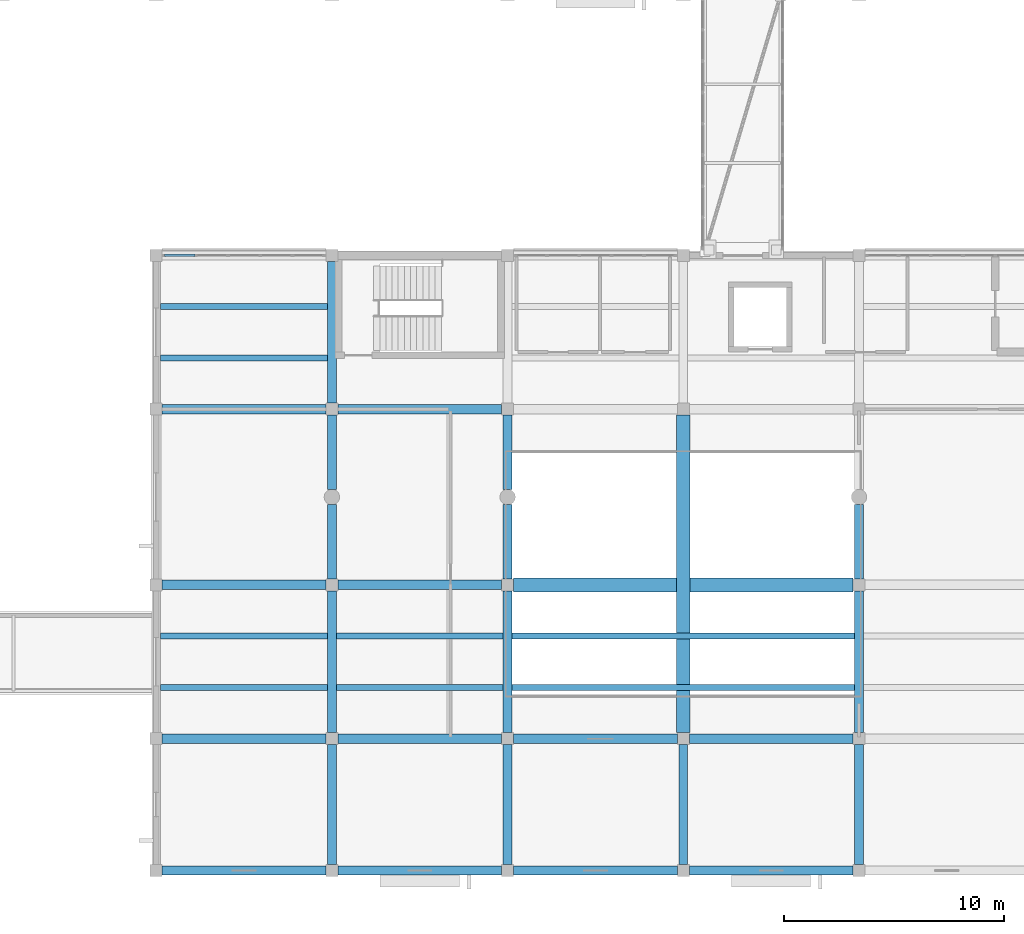
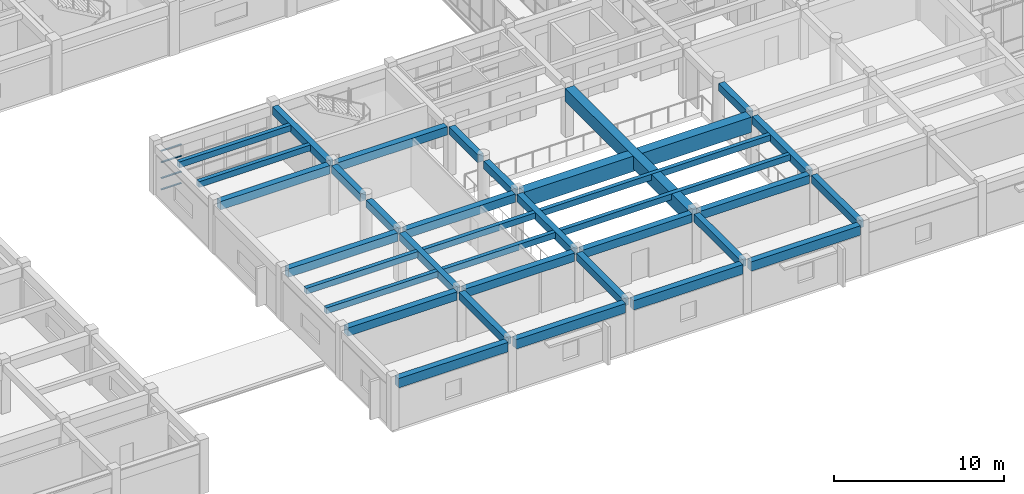
# One storey, part 16 of 66: 35 beams, 4 members, 1 element without a shape of its own.
"""IFC4 building model written with IfcOpenShell, lengths in metres."""

from ifc_helpers import new_model, si_unit, direction, frame, origin, origin_2d, place, context, subcontext, project, spatial, rectangle, extrude, material, layer, layer_set, material_profile, profile_set, type_object, element, aggregate, save


model = new_model("IFC4")

# Units and contexts
model_context = context("Model", 3, precision=1e-05, world=origin(), true_north=direction((0.0, 1.0)))
body_context = subcontext(model_context, "Body", "Model", "MODEL_VIEW")
ifc_project = project(units=[si_unit("LENGTHUNIT", "METRE"), si_unit("AREAUNIT", "SQUARE_METRE"), si_unit("VOLUMEUNIT", "CUBIC_METRE"), si_unit("PLANEANGLEUNIT", "RADIAN"), si_unit("MASSUNIT", "GRAM", prefix="KILO")], contexts=[model_context])

# Site, building, storey
site_placement = place(None, origin())
site = spatial("IfcSite", under=ifc_project, at=site_placement, CompositionType="ELEMENT")
building_placement = place(site_placement, origin())
building = spatial("IfcBuilding", under=site, at=building_placement, Name="Naurynzar Civic Courthouse", CompositionType="ELEMENT")
storey_placement = place(building_placement, frame((0.0, 0.0, 14.39990234375)))
storey = spatial("IfcBuildingStorey", under=building, at=storey_placement, Name="L04", CompositionType="ELEMENT", Elevation=14.39990234375)

# Beams
ifc_material_1 = material(Name="Concrete C40/50", Category="concrete")
ifc_material_profile_1 = material_profile(ifc_material_1, rectangle(XDim=0.27490234375, YDim=0.425048828125, at=origin_2d()), Name="RCB 275x425")
ifc_profile_set_1 = profile_set([ifc_material_profile_1], Name="Concrete C40/50")
beam_type_1 = type_object("IfcBeamType", Name="BM-JST-275x425", PredefinedType="JOIST", material=ifc_profile_set_1)
for number, where, z_axis, x_axis, name in (
    (1, (69.199951171875, 12.333251953125, 3.34765625), (1.0, 0.0, 0.0), (0.0, 1.0, 0.0), "V3 secondary rib 1550 L04"),
    (2, (69.199951171875, 14.666748046875, 3.34765625), (1.0, 0.0, 0.0), (0.0, 1.0, 0.0), "V3 secondary rib 1551 L04"),
    (3, (77.199951171875, 12.333251953125, 3.34765625), (1.0, 0.0, 0.0), (0.0, 1.0, 0.0), "V3 secondary rib 1552 L04"),
    (4, (77.199951171875, 14.666748046875, 3.34765625), (1.0, 0.0, 0.0), (0.0, 1.0, 0.0), "V3 secondary rib 1553 L04"),
):
    element("IfcBeam", number, at=place(storey_placement, frame(where, z_axis=z_axis, x_axis=x_axis)), inside=storey, type_object=beam_type_1, Name=name, PredefinedType="JOIST", context=body_context, shape_type="SweptSolid", body=[
        extrude(rectangle(XDim=0.27490234375, YDim=0.425048828125, at=origin_2d()), origin(), (0.0, 0.0, 1.0), 7.60009765625),
    ])
for number, where, z_axis, x_axis, name in (
    (5, (85.199951171875, 12.333251953125, 3.34765625), (1.0, 0.0, 0.0), (0.0, 1.0, 0.0), "V3 secondary rib 1554 L04"),
    (6, (85.199951171875, 14.666748046875, 3.34765625), (1.0, 0.0, 0.0), (0.0, 1.0, 0.0), "V3 secondary rib 1555 L04"),
):
    element("IfcBeam", number, at=place(storey_placement, frame(where, z_axis=z_axis, x_axis=x_axis)), inside=storey, type_object=beam_type_1, Name=name, PredefinedType="JOIST", context=body_context, shape_type="SweptSolid", body=[
        extrude(rectangle(XDim=0.27490234375, YDim=0.425048828125, at=origin_2d()), origin(), (0.0, 0.0, 1.0), 15.60009765625),
    ])
for number, where, z_axis, x_axis, name in (
    (7, (69.199951171875, 27.333251953125, 3.34765625), (1.0, 0.0, 0.0), (0.0, 1.0, 0.0), "V3 secondary rib 1560 L04"),
    (8, (69.199951171875, 29.666748046875, 3.34765625), (1.0, 0.0, 0.0), (0.0, 1.0, 0.0), "V3 secondary rib 1561 L04"),
):
    element("IfcBeam", number, at=place(storey_placement, frame(where, z_axis=z_axis, x_axis=x_axis)), inside=storey, type_object=beam_type_1, Name=name, PredefinedType="JOIST", context=body_context, shape_type="SweptSolid", body=[
        extrude(rectangle(XDim=0.27490234375, YDim=0.425048828125, at=origin_2d()), origin(), (0.0, 0.0, 1.0), 7.60009765625),
    ])
ifc_material_2 = material(Name="Concrete C40/50", Category="concrete")
ifc_material_profile_2 = material_profile(ifc_material_2, rectangle(XDim=0.60009765625, YDim=0.949951171875, at=origin_2d()), Name="PTB 600x950")
ifc_profile_set_2 = profile_set([ifc_material_profile_2], Name="Concrete C40/50")
beam_type_2 = type_object("IfcBeamType", Name="BM-PT-600x950", PredefinedType="T_BEAM", material=ifc_profile_set_2)
beam_1_placement = place(storey_placement, frame((93.0, 10.27490234375, 3.085205078125), z_axis=(0.0, 1.0, 0.0), x_axis=(-1.0, 0.0, 0.0)))
element("IfcBeam", 9, at=beam_1_placement, inside=storey, type_object=beam_type_2, Name="V3 girder Y-1534 L04", PredefinedType="T_BEAM", context=body_context, shape_type="SweptSolid", body=[
    extrude(rectangle(XDim=0.60009765625, YDim=0.949951171875, at=origin_2d()), origin(), (0.0, 0.0, 1.0), 14.4501953125),
])
ifc_material_3 = material(Name="Concrete C40/50", Category="concrete")
ifc_material_profile_3 = material_profile(ifc_material_3, rectangle(XDim=0.64990234375, YDim=1.10009765625, at=origin_2d()), Name="PTB 650x1100")
ifc_profile_set_3 = profile_set([ifc_material_profile_3], Name="Concrete C40/50")
beam_type_3 = type_object("IfcBeamType", Name="BM-PT-650x1100", PredefinedType="T_BEAM", material=ifc_profile_set_3)
beam_2_placement = place(storey_placement, frame((85.27490234375, 17.0, 3.010009765625), z_axis=(1.0, 0.0, 0.0), x_axis=(0.0, 1.0, 0.0)))
element("IfcBeam", 10, at=beam_2_placement, inside=storey, type_object=beam_type_3, Name="V3 beam X-1504 L04", PredefinedType="T_BEAM", context=body_context, shape_type="SweptSolid", body=[
    extrude(rectangle(XDim=0.64990234375, YDim=1.10009765625, at=origin_2d()), origin(), (0.0, 0.0, 1.0), 15.4501953125),
])
ifc_material_4 = material(Name="Concrete C40/50", Category="concrete")
ifc_material_profile_4 = material_profile(ifc_material_4, rectangle(XDim=0.39990234375, YDim=0.550048828125, at=origin_2d()), Name="RCB 400x550")
ifc_profile_set_4 = profile_set([ifc_material_profile_4], Name="Concrete C40/50")
beam_type_4 = type_object("IfcBeamType", Name="BM-RC-400x550", PredefinedType="BEAM", material=ifc_profile_set_4)
beam_3_placement = place(storey_placement, frame((77.0, 4.27490234375, 3.28515625), z_axis=(0.0, 1.0, 0.0), x_axis=(-1.0, 0.0, 0.0)))
element("IfcBeam", 11, at=beam_3_placement, inside=storey, type_object=beam_type_4, Name="V3 girder Y-1523 L04", PredefinedType="BEAM", context=body_context, shape_type="SweptSolid", body=[
    extrude(rectangle(XDim=0.39990234375, YDim=0.550048828125, at=origin_2d()), origin(), (0.0, 0.0, 1.0), 5.4501953125),
])
beam_4_placement = place(storey_placement, frame((77.0, 10.27490234375, 3.28515625), z_axis=(0.0, 1.0, 0.0), x_axis=(-1.0, 0.0, 0.0)))
element("IfcBeam", 12, at=beam_4_placement, inside=storey, type_object=beam_type_4, Name="V3 girder Y-1524 L04", PredefinedType="BEAM", context=body_context, shape_type="SweptSolid", body=[
    extrude(rectangle(XDim=0.39990234375, YDim=0.550048828125, at=origin_2d()), origin(), (0.0, 0.0, 1.0), 6.4501953125),
])
for number, where, z_axis, x_axis, name in (
    (13, (77.0, 17.27490234375, 3.28515625), (0.0, 1.0, 0.0), (-1.0, 0.0, 0.0), "V3 girder Y-1525 L04"),
    (14, (77.0, 21.35009765625, 3.28515625), (0.0, 1.0, 0.0), (-1.0, 0.0, 0.0), "V3 girder Y-1526 L04"),
):
    element("IfcBeam", number, at=place(storey_placement, frame(where, z_axis=z_axis, x_axis=x_axis)), inside=storey, type_object=beam_type_4, Name=name, PredefinedType="BEAM", context=body_context, shape_type="SweptSolid", body=[
        extrude(rectangle(XDim=0.39990234375, YDim=0.550048828125, at=origin_2d()), origin(), (0.0, 0.0, 1.0), 3.375),
    ])
beam_5_placement = place(storey_placement, frame((77.0, 25.27490234375, 3.28515625), z_axis=(0.0, 1.0, 0.0), x_axis=(-1.0, 0.0, 0.0)))
element("IfcBeam", 15, at=beam_5_placement, inside=storey, type_object=beam_type_4, Name="V3 girder Y-1527 L04", PredefinedType="BEAM", context=body_context, shape_type="SweptSolid", body=[
    extrude(rectangle(XDim=0.39990234375, YDim=0.550048828125, at=origin_2d()), origin(), (0.0, 0.0, 1.0), 6.4501953125),
])
beam_6_placement = place(storey_placement, frame((85.0, 4.27490234375, 3.28515625), z_axis=(0.0, 1.0, 0.0), x_axis=(-1.0, 0.0, 0.0)))
element("IfcBeam", 16, at=beam_6_placement, inside=storey, type_object=beam_type_4, Name="V3 girder Y-1528 L04", PredefinedType="BEAM", context=body_context, shape_type="SweptSolid", body=[
    extrude(rectangle(XDim=0.39990234375, YDim=0.550048828125, at=origin_2d()), origin(), (0.0, 0.0, 1.0), 5.4501953125),
])
beam_7_placement = place(storey_placement, frame((85.0, 10.27490234375, 3.28515625), z_axis=(0.0, 1.0, 0.0), x_axis=(-1.0, 0.0, 0.0)))
element("IfcBeam", 17, at=beam_7_placement, inside=storey, type_object=beam_type_4, Name="V3 girder Y-1529 L04", PredefinedType="BEAM", context=body_context, shape_type="SweptSolid", body=[
    extrude(rectangle(XDim=0.39990234375, YDim=0.550048828125, at=origin_2d()), origin(), (0.0, 0.0, 1.0), 6.4501953125),
])
for number, where, z_axis, x_axis, name in (
    (18, (85.0, 17.27490234375, 3.28515625), (0.0, 1.0, 0.0), (-1.0, 0.0, 0.0), "V3 girder Y-1530 L04"),
    (19, (85.0, 21.35009765625, 3.28515625), (0.0, 1.0, 0.0), (-1.0, 0.0, 0.0), "V3 girder Y-1531 L04"),
):
    element("IfcBeam", number, at=place(storey_placement, frame(where, z_axis=z_axis, x_axis=x_axis)), inside=storey, type_object=beam_type_4, Name=name, PredefinedType="BEAM", context=body_context, shape_type="SweptSolid", body=[
        extrude(rectangle(XDim=0.39990234375, YDim=0.550048828125, at=origin_2d()), origin(), (0.0, 0.0, 1.0), 3.375),
    ])
for number, where, z_axis, x_axis, name in (
    (20, (93.0, 4.27490234375, 3.28515625), (0.0, 1.0, 0.0), (-1.0, 0.0, 0.0), "V3 girder Y-1533 L04"),
    (21, (101.0, 4.27490234375, 3.28515625), (0.0, 1.0, 0.0), (-1.0, 0.0, 0.0), "V3 girder Y-1536 L04"),
):
    element("IfcBeam", number, at=place(storey_placement, frame(where, z_axis=z_axis, x_axis=x_axis)), inside=storey, type_object=beam_type_4, Name=name, PredefinedType="BEAM", context=body_context, shape_type="SweptSolid", body=[
        extrude(rectangle(XDim=0.39990234375, YDim=0.550048828125, at=origin_2d()), origin(), (0.0, 0.0, 1.0), 5.4501953125),
    ])
beam_8_placement = place(storey_placement, frame((101.0, 10.27490234375, 3.28515625), z_axis=(0.0, 1.0, 0.0), x_axis=(-1.0, 0.0, 0.0)))
element("IfcBeam", 22, at=beam_8_placement, inside=storey, type_object=beam_type_4, Name="V3 girder Y-1537 L04", PredefinedType="BEAM", context=body_context, shape_type="SweptSolid", body=[
    extrude(rectangle(XDim=0.39990234375, YDim=0.550048828125, at=origin_2d()), origin(), (0.0, 0.0, 1.0), 6.4501953125),
])
beam_9_placement = place(storey_placement, frame((101.0, 17.27490234375, 3.28515625), z_axis=(0.0, 1.0, 0.0), x_axis=(-1.0, 0.0, 0.0)))
element("IfcBeam", 23, at=beam_9_placement, inside=storey, type_object=beam_type_4, Name="V3 girder Y-1538 L04", PredefinedType="BEAM", context=body_context, shape_type="SweptSolid", body=[
    extrude(rectangle(XDim=0.39990234375, YDim=0.550048828125, at=origin_2d()), origin(), (0.0, 0.0, 1.0), 3.375),
])
ifc_material_5 = material(Name="Concrete C40/50", Category="concrete")
ifc_material_profile_5 = material_profile(ifc_material_5, rectangle(XDim=0.425048828125, YDim=0.60009765625, at=origin_2d()), Name="RCB 425x600")
ifc_profile_set_5 = profile_set([ifc_material_profile_5], Name="Concrete C40/50")
beam_type_5 = type_object("IfcBeamType", Name="BM-RC-425x600", PredefinedType="BEAM", material=ifc_profile_set_5)
for number, where, z_axis, x_axis, name in (
    (24, (69.27490234375, 10.0, 3.260009765625), (1.0, 0.0, 0.0), (0.0, 1.0, 0.0), "V3 beam X-1496 L04"),
    (25, (77.27490234375, 10.0, 3.260009765625), (1.0, 0.0, 0.0), (0.0, 1.0, 0.0), "V3 beam X-1497 L04"),
    (26, (85.27490234375, 10.0, 3.260009765625), (1.0, 0.0, 0.0), (0.0, 1.0, 0.0), "V3 beam X-1498 L04"),
    (27, (93.27490234375, 10.0, 3.260009765625), (1.0, 0.0, 0.0), (0.0, 1.0, 0.0), "V3 beam X-1499 L04"),
    (28, (69.27490234375, 17.0, 3.260009765625), (1.0, 0.0, 0.0), (0.0, 1.0, 0.0), "V3 beam X-1502 L04"),
    (29, (77.27490234375, 17.0, 3.260009765625), (1.0, 0.0, 0.0), (0.0, 1.0, 0.0), "V3 beam X-1503 L04"),
    (30, (69.27490234375, 25.0, 3.260009765625), (1.0, 0.0, 0.0), (0.0, 1.0, 0.0), "V3 beam X-1507 L04"),
    (31, (77.27490234375, 25.0, 3.260009765625), (1.0, 0.0, 0.0), (0.0, 1.0, 0.0), "V3 beam X-1508 L04"),
):
    element("IfcBeam", number, at=place(storey_placement, frame(where, z_axis=z_axis, x_axis=x_axis)), inside=storey, type_object=beam_type_5, Name=name, PredefinedType="BEAM", context=body_context, shape_type="SweptSolid", body=[
        extrude(rectangle(XDim=0.425048828125, YDim=0.60009765625, at=origin_2d()), origin(), (0.0, 0.0, 1.0), 7.4501953125),
    ])
ifc_material_6 = material(Name="Concrete C40/50", Category="concrete")
ifc_material_profile_6 = material_profile(ifc_material_6, rectangle(XDim=0.425048828125, YDim=0.675048828125, at=origin_2d()), Name="RCB 425x675")
ifc_profile_set_6 = profile_set([ifc_material_profile_6], Name="Concrete C40/50")
beam_type_6 = type_object("IfcBeamType", Name="BM-RC-425x675", PredefinedType="SPANDREL", material=ifc_profile_set_6)
for number, where, z_axis, x_axis, name in (
    (32, (69.27490234375, 4.0, 3.22265625), (1.0, 0.0, 0.0), (0.0, 1.0, 0.0), "V3 beam X-1490 L04"),
    (33, (77.27490234375, 4.0, 3.22265625), (1.0, 0.0, 0.0), (0.0, 1.0, 0.0), "V3 beam X-1491 L04"),
    (34, (85.27490234375, 4.0, 3.22265625), (1.0, 0.0, 0.0), (0.0, 1.0, 0.0), "V3 beam X-1492 L04"),
    (35, (93.27490234375, 4.0, 3.22265625), (1.0, 0.0, 0.0), (0.0, 1.0, 0.0), "V3 beam X-1493 L04"),
):
    element("IfcBeam", number, at=place(storey_placement, frame(where, z_axis=z_axis, x_axis=x_axis)), inside=storey, type_object=beam_type_6, Name=name, PredefinedType="SPANDREL", context=body_context, shape_type="SweptSolid", body=[
        extrude(rectangle(XDim=0.425048828125, YDim=0.675048828125, at=origin_2d()), origin(), (0.0, 0.0, 1.0), 7.4501953125),
    ])

# Curtain wall, members
ifc_material_7 = material(Name="Aluminium 6063-T6", Category="aluminium")
ifc_layer = layer(ifc_material_7, 0.179931640625)
ifc_layer_set = layer_set([ifc_layer], Name="CW-UNIT-1500")
curtain_wall_type = type_object("IfcCurtainWallType", Name="CW-UNIT-1500", PredefinedType="NOTDEFINED", material=ifc_layer_set)
curtain_wall_placement = place(storey_placement, origin())
curtain_wall = element("IfcCurtainWall", 36, at=curtain_wall_placement, inside=storey, type_object=curtain_wall_type, Name="V3 unitised curtain wall 70 L04", PredefinedType="NOTDEFINED")
ifc_material_8 = material(Name="Aluminium 6063-T6", Category="aluminium")
ifc_material_profile_7 = material_profile(ifc_material_8, rectangle(XDim=0.110107421875, YDim=0.06005859375, at=origin_2d()), Name="ALU TRANSOM 60x110")
ifc_profile_set_7 = profile_set([ifc_material_profile_7], Name="Aluminium 6063-T6")
member_type = type_object("IfcMemberType", Name="CWT-60x110", PredefinedType="USERDEFINED", material=ifc_profile_set_7)
member_1_placement = place(storey_placement, frame((69.385009765625, 32.0, 0.030029296875), z_axis=(1.0, 0.0, 0.0), x_axis=(0.0, 1.0, 0.0)))
member_1 = element("IfcMember", 37, at=member_1_placement, type_object=member_type, Name="CW-01 transom 1.1", ObjectType="TRANSOM", PredefinedType="USERDEFINED", context=body_context, shape_type="SweptSolid", body=[
    extrude(rectangle(XDim=0.110107421875, YDim=0.06005859375, at=origin_2d()), origin(), (0.0, 0.0, 1.0), 1.3798828125),
])
member_2_placement = place(storey_placement, frame((69.385009765625, 32.0, 0.85009765625), z_axis=(1.0, 0.0, 0.0), x_axis=(0.0, 1.0, 0.0)))
member_2 = element("IfcMember", 38, at=member_2_placement, type_object=member_type, Name="CW-01 transom 1.2", ObjectType="TRANSOM", PredefinedType="USERDEFINED", context=body_context, shape_type="SweptSolid", body=[
    extrude(rectangle(XDim=0.110107421875, YDim=0.06005859375, at=origin_2d()), origin(), (0.0, 0.0, 1.0), 1.3798828125),
])
member_3_placement = place(storey_placement, frame((69.385009765625, 32.0, 1.989990234375), z_axis=(1.0, 0.0, 0.0), x_axis=(0.0, 1.0, 0.0)))
member_3 = element("IfcMember", 39, at=member_3_placement, type_object=member_type, Name="CW-01 transom 1.3", ObjectType="TRANSOM", PredefinedType="USERDEFINED", context=body_context, shape_type="SweptSolid", body=[
    extrude(rectangle(XDim=0.110107421875, YDim=0.06005859375, at=origin_2d()), origin(), (0.0, 0.0, 1.0), 1.3798828125),
])
member_4_placement = place(storey_placement, frame((69.385009765625, 32.0, 2.81005859375), z_axis=(1.0, 0.0, 0.0), x_axis=(0.0, 1.0, 0.0)))
member_4 = element("IfcMember", 40, at=member_4_placement, type_object=member_type, Name="CW-01 transom 1.4", ObjectType="TRANSOM", PredefinedType="USERDEFINED", context=body_context, shape_type="SweptSolid", body=[
    extrude(rectangle(XDim=0.110107421875, YDim=0.06005859375, at=origin_2d()), origin(), (0.0, 0.0, 1.0), 1.3798828125),
])
aggregate(curtain_wall, [member_1, member_2, member_3, member_4])

save(model, "model.ifc")
